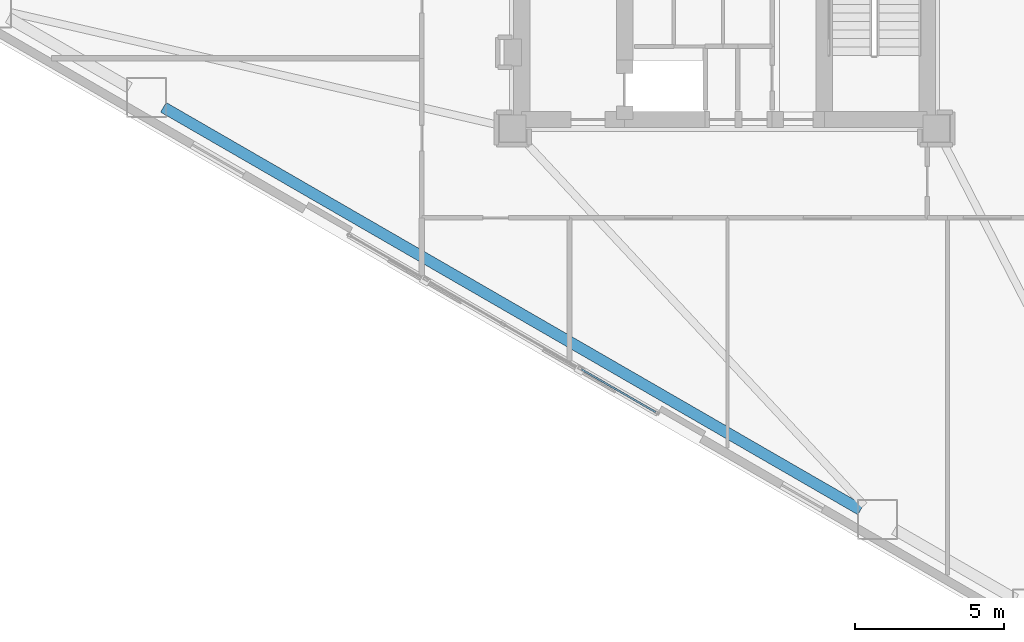
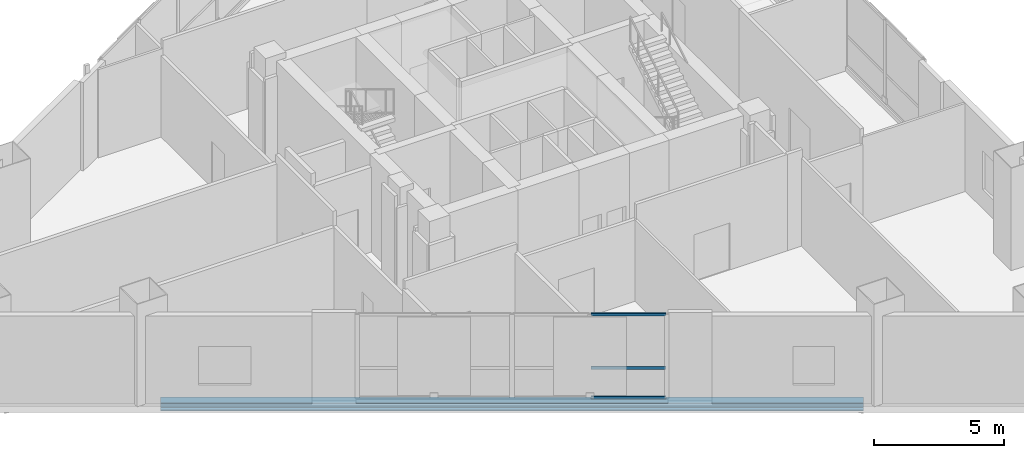
# One storey, part 4 of 27: 3 members, 1 beam, 1 element without a shape of its own.
"""IFC4 building model written with IfcOpenShell, lengths in metres."""

from ifc_helpers import new_model, si_unit, direction, frame, origin, origin_2d, place, context, subcontext, project, spatial, hollow_rectangle, i_section, extrude, material, layer, layer_set, material_profile, profile_set, type_object, element, aggregate, save


model = new_model("IFC4")

# Units and contexts
model_context = context("Model", 3, precision=1e-05, world=origin(), true_north=direction((0.0, 1.0)))
body_context = subcontext(model_context, "Body", "Model", "MODEL_VIEW")
ifc_project = project(units=[si_unit("LENGTHUNIT", "METRE"), si_unit("AREAUNIT", "SQUARE_METRE"), si_unit("VOLUMEUNIT", "CUBIC_METRE"), si_unit("PLANEANGLEUNIT", "RADIAN"), si_unit("MASSUNIT", "GRAM", prefix="KILO")], contexts=[model_context])

# Site, building, storey
site_placement = place(None, origin())
site = spatial("IfcSite", under=ifc_project, at=site_placement, CompositionType="ELEMENT")
building_placement = place(site_placement, origin())
building = spatial("IfcBuilding", under=site, at=building_placement, Name="Mersakhor Tower and Convention Hall", CompositionType="ELEMENT")
storey_placement = place(building_placement, frame((0.0, 0.0, 14.39990234375)))
storey = spatial("IfcBuildingStorey", under=building, at=storey_placement, Name="L03", CompositionType="ELEMENT", Elevation=14.39990234375)

# Beam
ifc_material_1 = material(Name="Steel S355", Category="steel")
ifc_material_profile_1 = material_profile(ifc_material_1, i_section(OverallWidth=0.374755859375, OverallDepth=0.37451171875, WebThickness=0.0166015625, FlangeThickness=0.027099609375, at=origin_2d()), Name="UC 356x368x202")
ifc_profile_set_1 = profile_set([ifc_material_profile_1], Name="Steel S355")
beam_type = type_object("IfcBeamType", Name="BM-SPD-UC356", PredefinedType="SPANDREL", material=ifc_profile_set_1)
beam_placement = place(storey_placement, frame((33.566162109375, 7.6591796875, -0.50732421875), z_axis=(-0.866025970279, 0.499999018801, 0.0), x_axis=(-0.499999018801, -0.866025970279, 0.0)))
element("IfcBeam", 1, at=beam_placement, inside=storey, type_object=beam_type, Name="L03 Perimeter Spandrel Beam SPB-10", PredefinedType="SPANDREL", context=body_context, shape_type="SweptSolid", body=[
    extrude(i_section(OverallWidth=0.374755859375, OverallDepth=0.37451171875, WebThickness=0.0166015625, FlangeThickness=0.027099609375, at=origin_2d()), origin(), (0.0, 0.0, 1.0), 26.99951171875),
])

# Curtain wall, members
ifc_material_2 = material(Name="Dark solar low-E aluminium curtain wall", Category="aluminium")
ifc_layer = layer(ifc_material_2, 0.18994140625)
ifc_layer_set = layer_set([ifc_layer], Name="Dark solar low-E aluminium curtain wall")
curtain_wall_type = type_object("IfcCurtainWallType", Name="CW-SYS-04", PredefinedType="USERDEFINED", material=ifc_layer_set)
curtain_wall_placement = place(storey_placement, origin())
curtain_wall = element("IfcCurtainWall", 2, at=curtain_wall_placement, inside=storey, type_object=curtain_wall_type, Name="L03 Dark-Glass Curtain Wall F3-B2", ObjectType="CURTAIN WALL", PredefinedType="USERDEFINED")
ifc_material_3 = material(Name="Anodised aluminium EN AW-6063 T6", Category="aluminium")
ifc_material_profile_2 = material_profile(ifc_material_3, hollow_rectangle(XDim=0.06005859375, YDim=0.1201171875, WallThickness=0.0048828125, at=origin_2d()), Name="RHS 120x60x5")
ifc_profile_set_2 = profile_set([ifc_material_profile_2], Name="Anodised aluminium EN AW-6063 T6")
member_type = type_object("IfcMemberType", Name="CWT-120x60", PredefinedType="USERDEFINED", material=ifc_profile_set_2)
member_1_placement = place(storey_placement, frame((26.690185546875, 10.936279296875, 0.22998046875), z_axis=(-0.866038426532, 0.499977443261, 0.0), x_axis=(-0.499977443261, -0.866038426532, 0.0)))
member_1 = element("IfcMember", 3, at=member_1_placement, type_object=member_type, Name="CW-04 transom 1.1", ObjectType="TRANSOM", PredefinedType="USERDEFINED", context=body_context, shape_type="SweptSolid", body=[
    extrude(hollow_rectangle(XDim=0.06005859375, YDim=0.1201171875, WallThickness=0.0048828125, at=origin_2d()), origin(), (0.0, 0.0, 1.0), 2.873291015625),
])
member_2_placement = place(storey_placement, frame((26.690185546875, 10.936279296875, 1.6201171875), z_axis=(-0.866038426532, 0.499977443261, 0.0), x_axis=(-0.499977443261, -0.866038426532, 0.0)))
member_2 = element("IfcMember", 4, at=member_2_placement, type_object=member_type, Name="CW-04 transom 1.2", ObjectType="TRANSOM", PredefinedType="USERDEFINED", context=body_context, shape_type="SweptSolid", body=[
    extrude(hollow_rectangle(XDim=0.06005859375, YDim=0.1201171875, WallThickness=0.0048828125, at=origin_2d()), origin(), (0.0, 0.0, 1.0), 2.873291015625),
])
member_3_placement = place(storey_placement, frame((26.690185546875, 10.936279296875, 4.110107421875), z_axis=(-0.866038426532, 0.499977443261, 0.0), x_axis=(-0.499977443261, -0.866038426532, 0.0)))
member_3 = element("IfcMember", 5, at=member_3_placement, type_object=member_type, Name="CW-04 transom 1.3", ObjectType="TRANSOM", PredefinedType="USERDEFINED", context=body_context, shape_type="SweptSolid", body=[
    extrude(hollow_rectangle(XDim=0.06005859375, YDim=0.1201171875, WallThickness=0.0048828125, at=origin_2d()), origin(), (0.0, 0.0, 1.0), 2.873291015625),
])
aggregate(curtain_wall, [member_1, member_2, member_3])

save(model, "model.ifc")
